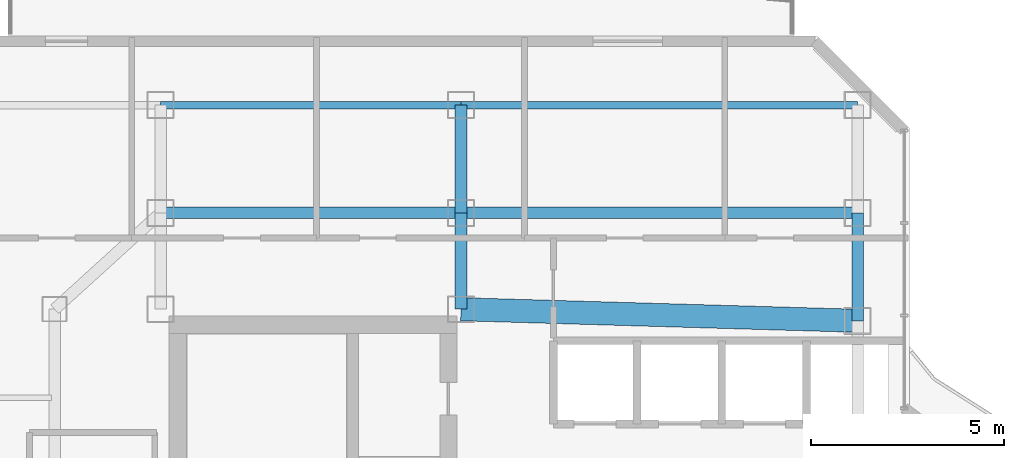
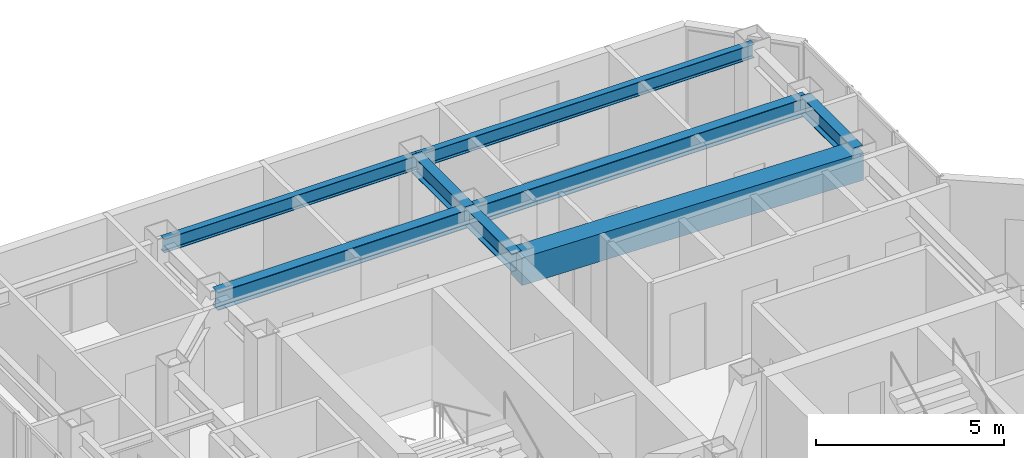
# One storey, part 16 of 25: 8 beams.
"""IFC4 building model written with IfcOpenShell, lengths in metres."""

from ifc_helpers import new_model, si_unit, direction, frame, origin, origin_2d, place, context, subcontext, project, spatial, rectangle, i_section, extrude, material, material_profile, profile_set, type_object, element, save


model = new_model("IFC4")

# Units and contexts
model_context = context("Model", 3, precision=1e-05, world=origin(), true_north=direction((0.0, 1.0)))
body_context = subcontext(model_context, "Body", "Model", "MODEL_VIEW")
ifc_project = project(units=[si_unit("LENGTHUNIT", "METRE"), si_unit("AREAUNIT", "SQUARE_METRE"), si_unit("VOLUMEUNIT", "CUBIC_METRE"), si_unit("PLANEANGLEUNIT", "RADIAN"), si_unit("MASSUNIT", "GRAM", prefix="KILO")], contexts=[model_context])

# Site, building, storey
site_placement = place(None, origin())
site = spatial("IfcSite", under=ifc_project, at=site_placement, CompositionType="ELEMENT")
building_placement = place(site_placement, origin())
building = spatial("IfcBuilding", under=site, at=building_placement, Name="Hatsunagi Terrace Concourse", CompositionType="ELEMENT")
storey_placement = place(building_placement, frame((0.0, 0.0, 223.949951171875)))
storey = spatial("IfcBuildingStorey", under=building, at=storey_placement, Name="L59", CompositionType="ELEMENT", Elevation=223.949951171875)

# Beams
ifc_material_1 = material(Name="Concrete Fc42", Category="concrete")
ifc_material_profile_1 = material_profile(ifc_material_1, rectangle(XDim=0.60009765625, YDim=0.89990234375, at=origin_2d()), Name="RC-600x900")
ifc_profile_set_1 = profile_set([ifc_material_profile_1], Name="Concrete Fc42")
beam_type_1 = type_object("IfcBeamType", Name="CoreCouplingBeam_RC_600x900", PredefinedType="BEAM", material=ifc_profile_set_1)
beam_1_placement = place(storey_placement, frame((33.35009765625, 43.300048828125, 2.900146484375), z_axis=(0.999575947545, -0.029119153303, 0.0), x_axis=(0.029119153303, 0.999575947545, 0.0)))
element("IfcBeam", 1, at=beam_1_placement, inside=storey, type_object=beam_type_1, Name="Beam CB-03 CB-L59-2", PredefinedType="BEAM", context=body_context, shape_type="SweptSolid", body=[
    extrude(rectangle(XDim=0.60009765625, YDim=0.89990234375, at=origin_2d()), origin(), (0.0, 0.0, 1.0), 10.30419921875),
])
ifc_material_2 = material(Name="Steel SN490B", Category="steel")
ifc_material_profile_2 = material_profile(ifc_material_2, i_section(OverallWidth=0.300048828125, OverallDepth=0.587890625, WebThickness=0.011962890625, FlangeThickness=0.02001953125, FilletRadius=0.01806640625, at=origin_2d()), Name="H-588x300x12x20")
ifc_profile_set_2 = profile_set([ifc_material_profile_2], Name="Steel SN490B")
beam_type_2 = type_object("IfcBeamType", Name="OfficeHighGirder_H_588x300", PredefinedType="BEAM", material=ifc_profile_set_2)
beam_2_placement = place(storey_placement, frame((33.35009765625, 43.300048828125, 3.05615234375), z_axis=(0.0, 1.0, 0.0), x_axis=(-1.0, 0.0, 0.0)))
element("IfcBeam", 2, at=beam_2_placement, inside=storey, type_object=beam_type_2, Name="Beam G-06 BM-L59-CN2", PredefinedType="BEAM", context=body_context, shape_type="SweptSolid", body=[
    extrude(i_section(OverallWidth=0.300048828125, OverallDepth=0.587890625, WebThickness=0.011962890625, FlangeThickness=0.02001953125, FilletRadius=0.01806640625, at=origin_2d()), origin(), (0.0, 0.0, 1.0), 2.5),
])
beam_3_placement = place(storey_placement, frame((43.64990234375, 43.0, 3.05615234375), z_axis=(0.0, 1.0, 0.0), x_axis=(-1.0, 0.0, 0.0)))
element("IfcBeam", 3, at=beam_3_placement, inside=storey, type_object=beam_type_2, Name="Beam G-06 BM-L59-CN3", PredefinedType="BEAM", context=body_context, shape_type="SweptSolid", body=[
    extrude(i_section(OverallWidth=0.300048828125, OverallDepth=0.587890625, WebThickness=0.011962890625, FlangeThickness=0.02001953125, FilletRadius=0.01806640625, at=origin_2d()), origin(), (0.0, 0.0, 1.0), 2.800048828125),
])
beam_4_placement = place(storey_placement, frame((25.550048828125, 45.800048828125, 3.05615234375), z_axis=(1.0, 0.0, 0.0), x_axis=(0.0, 1.0, 0.0)))
element("IfcBeam", 4, at=beam_4_placement, inside=storey, type_object=beam_type_2, Name="Beam G-06 BM-L59-CNEW1", PredefinedType="BEAM", context=body_context, shape_type="SweptSolid", body=[
    extrude(i_section(OverallWidth=0.300048828125, OverallDepth=0.587890625, WebThickness=0.011962890625, FlangeThickness=0.02001953125, FilletRadius=0.01806640625, at=origin_2d()), origin(), (0.0, 0.0, 1.0), 7.800048828125),
])
beam_5_placement = place(storey_placement, frame((33.35009765625, 45.800048828125, 3.05615234375), z_axis=(1.0, 0.0, 0.0), x_axis=(0.0, 1.0, 0.0)))
element("IfcBeam", 5, at=beam_5_placement, inside=storey, type_object=beam_type_2, Name="Beam G-06 BM-L59-CNEW2", PredefinedType="BEAM", context=body_context, shape_type="SweptSolid", body=[
    extrude(i_section(OverallWidth=0.300048828125, OverallDepth=0.587890625, WebThickness=0.011962890625, FlangeThickness=0.02001953125, FilletRadius=0.01806640625, at=origin_2d()), origin(), (0.0, 0.0, 1.0), 10.2998046875),
])
beam_6_placement = place(storey_placement, frame((33.35009765625, 45.800048828125, 3.05615234375), z_axis=(0.0, 1.0, 0.0), x_axis=(-1.0, 0.0, 0.0)))
element("IfcBeam", 6, at=beam_6_placement, inside=storey, type_object=beam_type_2, Name="Beam G-06 BM-L59-KN-WN5", PredefinedType="BEAM", context=body_context, shape_type="SweptSolid", body=[
    extrude(i_section(OverallWidth=0.300048828125, OverallDepth=0.587890625, WebThickness=0.011962890625, FlangeThickness=0.02001953125, FilletRadius=0.01806640625, at=origin_2d()), origin(), (0.0, 0.0, 1.0), 2.800048828125),
])
ifc_material_3 = material(Name="Steel SN490B", Category="steel")
ifc_material_profile_3 = material_profile(ifc_material_3, i_section(OverallWidth=0.199951171875, OverallDepth=0.449951171875, WebThickness=0.009033203125, FlangeThickness=0.013916015625, FilletRadius=0.01611328125, at=origin_2d()), Name="H-450x200x9x14")
ifc_profile_set_3 = profile_set([ifc_material_profile_3], Name="Steel SN490B")
beam_type_3 = type_object("IfcBeamType", Name="PerimeterSpandrel_H_450x200", PredefinedType="SPANDREL", material=ifc_profile_set_3)
beam_7_placement = place(storey_placement, frame((25.550048828125, 48.60009765625, 3.125), z_axis=(1.0, 0.0, 0.0), x_axis=(0.0, 1.0, 0.0)))
element("IfcBeam", 7, at=beam_7_placement, inside=storey, type_object=beam_type_3, Name="Beam SP-02 BM-L59-WN-25", PredefinedType="SPANDREL", context=body_context, shape_type="SweptSolid", body=[
    extrude(i_section(OverallWidth=0.199951171875, OverallDepth=0.449951171875, WebThickness=0.009033203125, FlangeThickness=0.013916015625, FilletRadius=0.01611328125, at=origin_2d()), origin(), (0.0, 0.0, 1.0), 7.800048828125),
])
beam_8_placement = place(storey_placement, frame((33.35009765625, 48.60009765625, 3.125), z_axis=(1.0, 0.0, 0.0), x_axis=(0.0, 1.0, 0.0)))
element("IfcBeam", 8, at=beam_8_placement, inside=storey, type_object=beam_type_3, Name="Beam SP-02 BM-L59-WN-33", PredefinedType="SPANDREL", context=body_context, shape_type="SweptSolid", body=[
    extrude(i_section(OverallWidth=0.199951171875, OverallDepth=0.449951171875, WebThickness=0.009033203125, FlangeThickness=0.013916015625, FilletRadius=0.01611328125, at=origin_2d()), origin(), (0.0, 0.0, 1.0), 10.2998046875),
])

save(model, "model.ifc")
